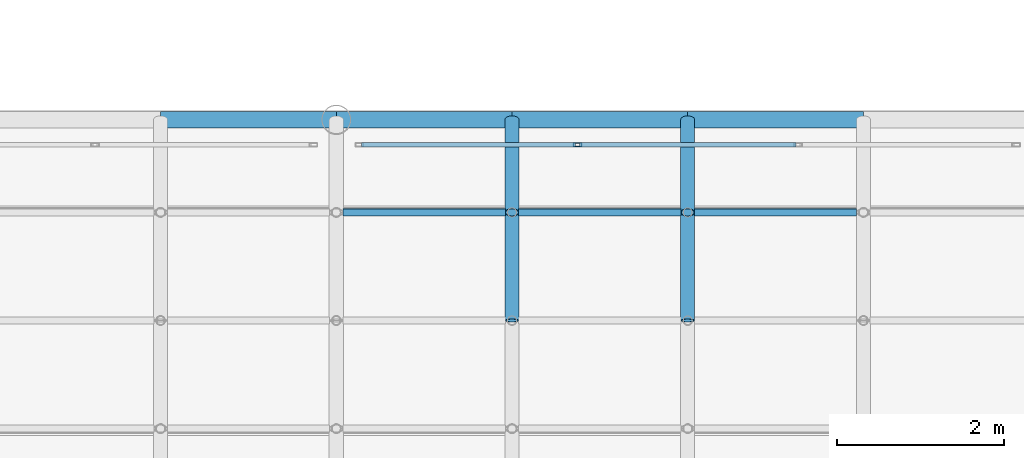
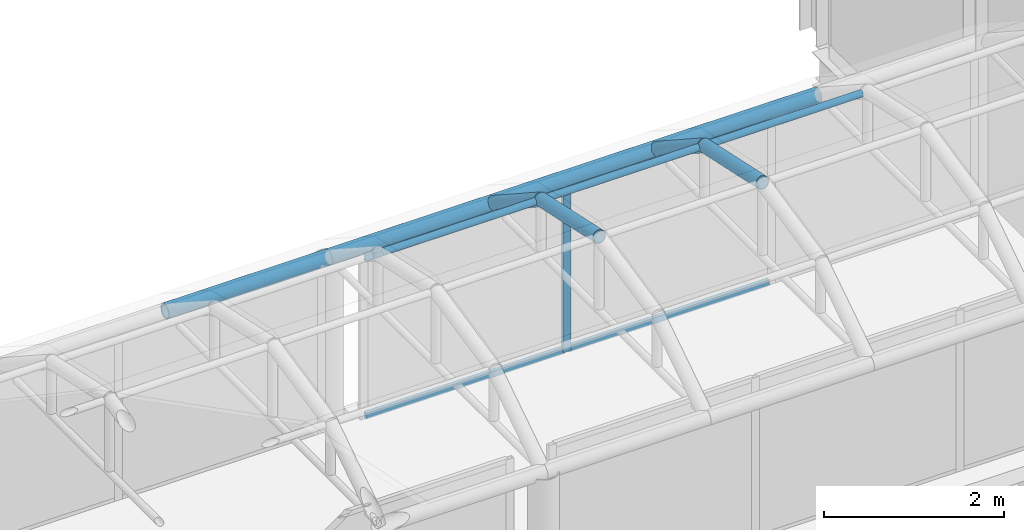
# One storey, part 42 of 167: 16 members, 1 element without a shape of its own.
"""IFC4 building model written with IfcOpenShell, lengths in metres."""

from ifc_helpers import new_model, si_unit, direction, frame, origin, origin_2d, place, context, subcontext, project, spatial, hollow_rectangle, hollow_circle, extrude, material, material_profile, profile_set, type_object, element, aggregate, save


model = new_model("IFC4")

# Units and contexts
model_context = context("Model", 3, precision=1e-05, world=origin(), true_north=direction((0.0, 1.0)))
body_context = subcontext(model_context, "Body", "Model", "MODEL_VIEW")
ifc_project = project(units=[si_unit("LENGTHUNIT", "METRE"), si_unit("AREAUNIT", "SQUARE_METRE"), si_unit("VOLUMEUNIT", "CUBIC_METRE"), si_unit("PLANEANGLEUNIT", "RADIAN"), si_unit("MASSUNIT", "GRAM", prefix="KILO")], contexts=[model_context])

# Site, building, storey
site_placement = place(None, origin())
site = spatial("IfcSite", under=ifc_project, at=site_placement, CompositionType="ELEMENT")
building_placement = place(site_placement, origin())
building = spatial("IfcBuilding", under=site, at=building_placement, Name="Catenary Quay Ferry Terminal", CompositionType="ELEMENT")
storey_placement = place(building_placement, frame((0.0, 0.0, 6.0)))
storey = spatial("IfcBuildingStorey", under=building, at=storey_placement, Name="L01", CompositionType="ELEMENT", Elevation=6.0)

# Curtain wall, member
ifc_material_1 = material(Name="Aluminium and glass", Category="aluminium")
curtain_wall_type = type_object("IfcCurtainWallType", Name="CWB", PredefinedType="NOTDEFINED", material=ifc_material_1)
curtain_wall_placement = place(storey_placement, origin())
curtain_wall = element("IfcCurtainWall", 1, at=curtain_wall_placement, inside=storey, type_object=curtain_wall_type, Name="BB1 curtain wall CW63", PredefinedType="NOTDEFINED")
ifc_material_2 = material(Name="Aluminium", Category="aluminium")
ifc_material_profile_1 = material_profile(ifc_material_2, hollow_rectangle(XDim=0.050048828125, YDim=0.10009765625, WallThickness=0.0048828125, at=origin_2d()), Name="MU1")
ifc_profile_set_1 = profile_set([ifc_material_profile_1], Name="Aluminium")
member_type_1 = type_object("IfcMemberType", Name="MU1", PredefinedType="MULLION", material=ifc_profile_set_1)
member_1_placement = place(storey_placement, frame((120.4833984375, 77.699951171875, 0.0), z_axis=(0.0, 0.0, 1.0), x_axis=(0.0, 1.0, 0.0)))
member_1 = element("IfcMember", 2, at=member_1_placement, type_object=member_type_1, Name="CW63 mullion 2", PredefinedType="MULLION", context=body_context, shape_type="SweptSolid", body=[
    extrude(hollow_rectangle(XDim=0.050048828125, YDim=0.10009765625, WallThickness=0.0048828125, at=origin_2d()), origin(), (0.0, 0.0, 1.0), 2.195068359375),
])

# Members
ifc_material_3 = material(Name="Steel S355", Category="steel")
ifc_material_profile_2 = material_profile(ifc_material_3, hollow_circle(Radius=0.04443359375, WallThickness=0.0048828125, at=origin_2d()), Name="CHS 88.9x5")
ifc_profile_set_2 = profile_set([ifc_material_profile_2], Name="Steel S355")
member_type_2 = type_object("IfcMemberType", Name="PU3 CHS 88.9x5", PredefinedType="PURLIN", material=ifc_profile_set_2)
member_2_placement = place(storey_placement, frame((117.679931640625, 76.89208984375, 2.821044921875), z_axis=(1.0, 0.0, 0.0), x_axis=(0.0, 1.0, 0.0)))
element("IfcMember", 3, at=member_2_placement, inside=storey, type_object=member_type_2, Name="Purlin PU-RB1-13-03", PredefinedType="PURLIN", context=body_context, shape_type="SweptSolid", body=[
    extrude(hollow_circle(Radius=0.04443359375, WallThickness=0.0048828125, at=origin_2d()), origin(), (0.0, 0.0, 1.0), 1.940185546875),
])
member_3_placement = place(storey_placement, frame((119.780029296875, 76.89208984375, 2.821044921875), z_axis=(1.0, 0.0, 0.0), x_axis=(0.0, 1.0, 0.0)))
element("IfcMember", 4, at=member_3_placement, inside=storey, type_object=member_type_2, Name="Purlin PU-RB1-14-03", PredefinedType="PURLIN", context=body_context, shape_type="SweptSolid", body=[
    extrude(hollow_circle(Radius=0.04443359375, WallThickness=0.0048828125, at=origin_2d()), origin(), (0.0, 0.0, 1.0), 1.93994140625),
])
member_4_placement = place(storey_placement, frame((121.8798828125, 76.89208984375, 2.821044921875), z_axis=(1.0, 0.0, 0.0), x_axis=(0.0, 1.0, 0.0)))
element("IfcMember", 5, at=member_4_placement, inside=storey, type_object=member_type_2, Name="Purlin PU-RB1-15-03", PredefinedType="PURLIN", context=body_context, shape_type="SweptSolid", body=[
    extrude(hollow_circle(Radius=0.04443359375, WallThickness=0.0048828125, at=origin_2d()), origin(), (0.0, 0.0, 1.0), 1.940185546875),
])
ifc_material_4 = material(Name="Steel S355", Category="steel")
ifc_material_profile_3 = material_profile(ifc_material_4, hollow_circle(Radius=0.096923828125, WallThickness=0.010009765625, at=origin_2d()), Name="CHS 193.7x10")
ifc_profile_set_3 = profile_set([ifc_material_profile_3], Name="Steel S355")
member_type_3 = type_object("IfcMemberType", Name="TC2 CHS 193.7x10", PredefinedType="CHORD", material=ifc_profile_set_3)
member_5_placement = place(storey_placement, frame((115.5, 78.0, 2.10009765625), z_axis=(1.0, 0.0, 0.0), x_axis=(0.0, 1.0, 0.0)))
element("IfcMember", 6, at=member_5_placement, inside=storey, type_object=member_type_3, Name="Bridge top chord BB1N-TC12", PredefinedType="CHORD", context=body_context, shape_type="SweptSolid", body=[
    extrude(hollow_circle(Radius=0.096923828125, WallThickness=0.010009765625, at=origin_2d()), origin(), (0.0, 0.0, 1.0), 2.10009765625),
])
member_6_placement = place(storey_placement, frame((117.60009765625, 78.0, 2.10009765625), z_axis=(1.0, 0.0, 0.0), x_axis=(0.0, 1.0, 0.0)))
element("IfcMember", 7, at=member_6_placement, inside=storey, type_object=member_type_3, Name="Bridge top chord BB1N-TC13", PredefinedType="CHORD", context=body_context, shape_type="SweptSolid", body=[
    extrude(hollow_circle(Radius=0.096923828125, WallThickness=0.010009765625, at=origin_2d()), origin(), (0.0, 0.0, 1.0), 2.099853515625),
])
member_7_placement = place(storey_placement, frame((119.699951171875, 78.0, 2.10009765625), z_axis=(1.0, 0.0, 0.0), x_axis=(0.0, 1.0, 0.0)))
element("IfcMember", 8, at=member_7_placement, inside=storey, type_object=member_type_3, Name="Bridge top chord BB1N-TC14", PredefinedType="CHORD", context=body_context, shape_type="SweptSolid", body=[
    extrude(hollow_circle(Radius=0.096923828125, WallThickness=0.010009765625, at=origin_2d()), origin(), (0.0, 0.0, 1.0), 2.10009765625),
])
member_8_placement = place(storey_placement, frame((121.800048828125, 78.0, 2.10009765625), z_axis=(1.0, 0.0, 0.0), x_axis=(0.0, 1.0, 0.0)))
element("IfcMember", 9, at=member_8_placement, inside=storey, type_object=member_type_3, Name="Bridge top chord BB1N-TC15", PredefinedType="CHORD", context=body_context, shape_type="SweptSolid", body=[
    extrude(hollow_circle(Radius=0.096923828125, WallThickness=0.010009765625, at=origin_2d()), origin(), (0.0, 0.0, 1.0), 2.099853515625),
])

# Member
ifc_material_5 = material(Name="Aluminium", Category="aluminium")
ifc_material_profile_4 = material_profile(ifc_material_5, hollow_rectangle(XDim=0.050048828125, YDim=0.080078125, WallThickness=0.00390625, at=origin_2d()), Name="TR1")
ifc_profile_set_4 = profile_set([ifc_material_profile_4], Name="Aluminium")
member_type_4 = type_object("IfcMemberType", Name="TR1", PredefinedType="USERDEFINED", material=ifc_profile_set_4)
member_9_placement = place(storey_placement, frame((117.89990234375, 77.699951171875, 0.02490234375), z_axis=(1.0, 0.0, 0.0), x_axis=(0.0, 1.0, 0.0)))
member_9 = element("IfcMember", 10, at=member_9_placement, type_object=member_type_4, Name="CW63 transom 1.1", ObjectType="TRANSOM", PredefinedType="USERDEFINED", context=body_context, shape_type="SweptSolid", body=[
    extrude(hollow_rectangle(XDim=0.050048828125, YDim=0.080078125, WallThickness=0.00390625, at=origin_2d()), origin(), (0.0, 0.0, 1.0), 2.558349609375),
])

member_10_placement = place(storey_placement, frame((117.89990234375, 77.699951171875, 2.169921875), z_axis=(1.0, 0.0, 0.0), x_axis=(0.0, 1.0, 0.0)))
member_10 = element("IfcMember", 11, at=member_10_placement, type_object=member_type_4, Name="CW63 transom 1.2", ObjectType="TRANSOM", PredefinedType="USERDEFINED", context=body_context, shape_type="SweptSolid", body=[
    extrude(hollow_rectangle(XDim=0.050048828125, YDim=0.080078125, WallThickness=0.00390625, at=origin_2d()), origin(), (0.0, 0.0, 1.0), 2.558349609375),
])

member_11_placement = place(storey_placement, frame((120.50830078125, 77.699951171875, 0.02490234375), z_axis=(1.0, 0.0, 0.0), x_axis=(0.0, 1.0, 0.0)))
member_11 = element("IfcMember", 12, at=member_11_placement, type_object=member_type_4, Name="CW63 transom 2.1", ObjectType="TRANSOM", PredefinedType="USERDEFINED", context=body_context, shape_type="SweptSolid", body=[
    extrude(hollow_rectangle(XDim=0.050048828125, YDim=0.080078125, WallThickness=0.00390625, at=origin_2d()), origin(), (0.0, 0.0, 1.0), 2.583251953125),
])

member_12_placement = place(storey_placement, frame((120.50830078125, 77.699951171875, 2.169921875), z_axis=(1.0, 0.0, 0.0), x_axis=(0.0, 1.0, 0.0)))
member_12 = element("IfcMember", 13, at=member_12_placement, type_object=member_type_4, Name="CW63 transom 2.2", ObjectType="TRANSOM", PredefinedType="USERDEFINED", context=body_context, shape_type="SweptSolid", body=[
    extrude(hollow_rectangle(XDim=0.050048828125, YDim=0.080078125, WallThickness=0.00390625, at=origin_2d()), origin(), (0.0, 0.0, 1.0), 2.583251953125),
])

aggregate(curtain_wall, [member_1, member_9, member_10, member_11, member_12])

# Members
ifc_material_6 = material(Name="Steel S355", Category="steel")
ifc_material_profile_5 = material_profile(ifc_material_6, hollow_circle(Radius=0.084228515625, WallThickness=0.008056640625, at=origin_2d()), Name="CHS 168.3x8")
ifc_profile_set_5 = profile_set([ifc_material_profile_5], Name="Steel S355")
member_type_5 = type_object("IfcMemberType", Name="VR4 CHS 168.3x8", PredefinedType="RAFTER", material=ifc_profile_set_5)
for number, where, z_axis, x_axis, name in (
    (14, (119.699951171875, 75.60009765625, 3.10009765625), (0.0, 0.977460543774, -0.211118178672), (-1.0, 0.0, 0.0), "rib RB1-14-03"),
    (15, (119.699951171875, 76.89208984375, 2.821044921875), (0.0, 0.838164997293, -0.545416755621), (-1.0, 0.0, 0.0), "rib RB1-14-04"),
    (16, (121.800048828125, 75.60009765625, 3.10009765625), (0.0, 0.977460543774, -0.211118178672), (-1.0, 0.0, 0.0), "rib RB1-15-03"),
    (17, (121.800048828125, 76.89208984375, 2.821044921875), (0.0, 0.838164997293, -0.545416755621), (-1.0, 0.0, 0.0), "rib RB1-15-04"),
):
    element("IfcMember", number, at=place(storey_placement, frame(where, z_axis=z_axis, x_axis=x_axis)), inside=storey, type_object=member_type_5, Name=name, PredefinedType="RAFTER", context=body_context, shape_type="SweptSolid", body=[
        extrude(hollow_circle(Radius=0.084228515625, WallThickness=0.008056640625, at=origin_2d()), origin(), (0.0, 0.0, 1.0), 1.32177734375),
    ])

save(model, "model.ifc")
